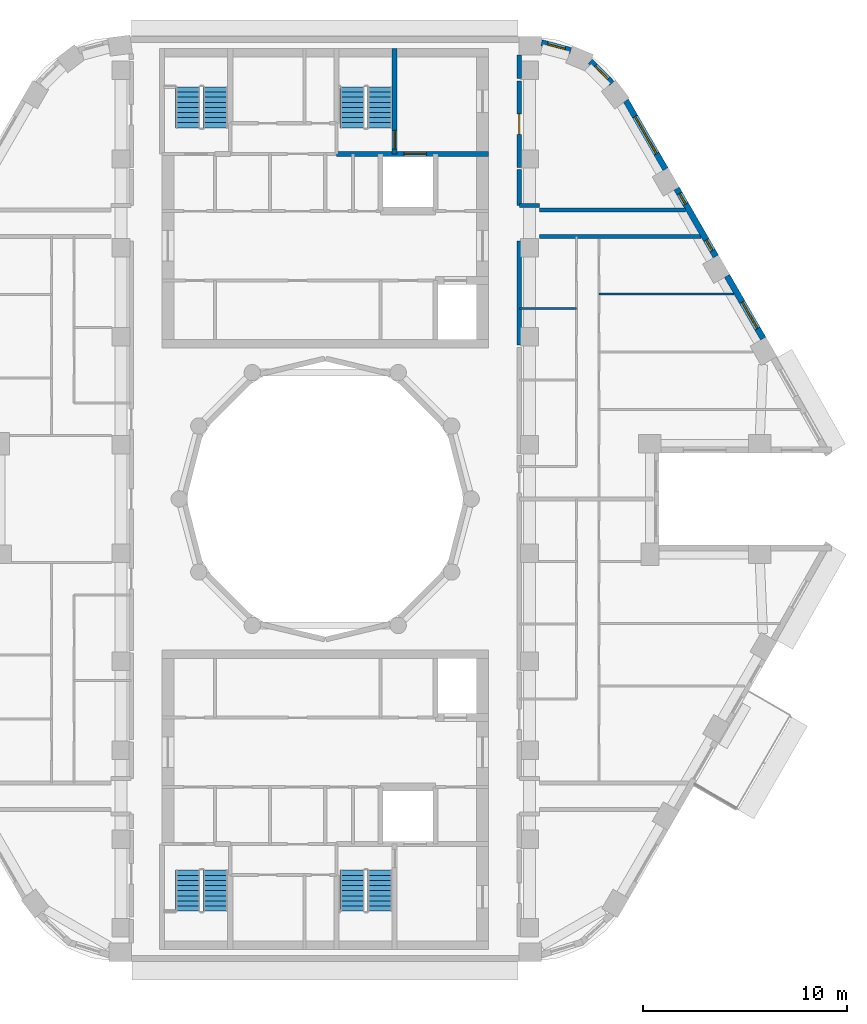
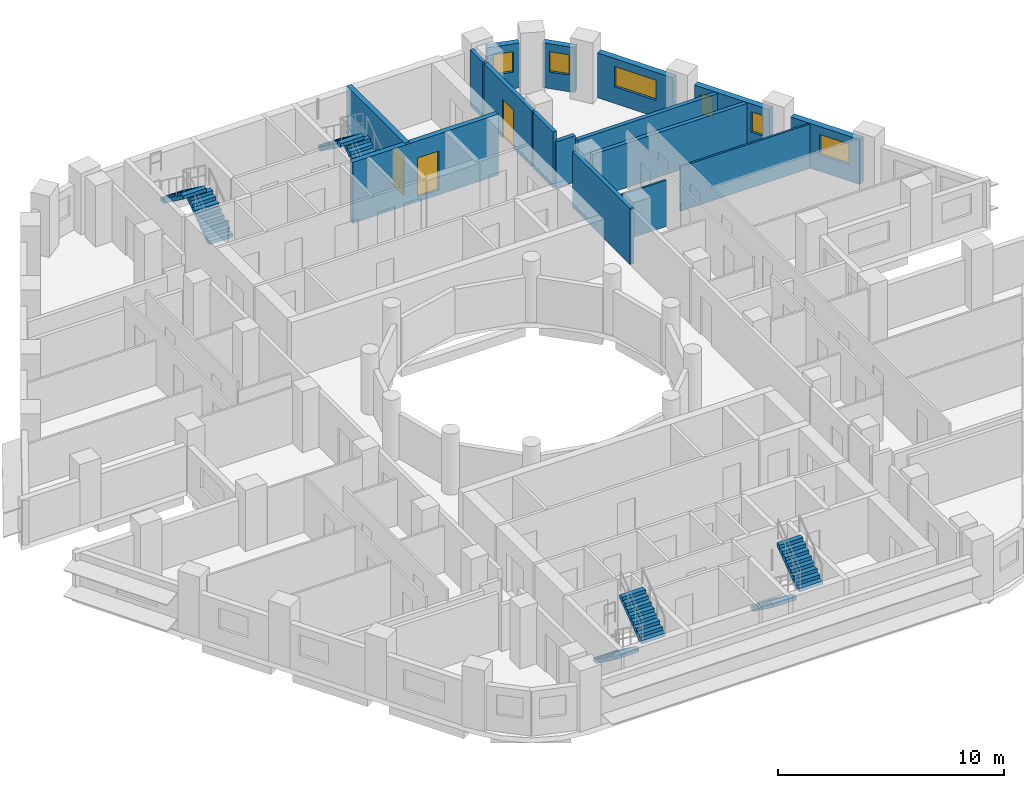
# One storey, part 8 of 12: 16 walls, 8 stair flights, 6 windows, 3 doors, 9 openings, 4 elements without a shape of their own.
"""IFC4 building model written with IfcOpenShell, lengths in metres."""

from ifc_helpers import new_model, si_unit, direction, frame, frame_2d, origin, place, context, subcontext, project, spatial, polyline, rectangle, outline, extrude, material, layer, layer_set, type_object, element, fill, aggregate, save


model = new_model("IFC4")

# Units and contexts
model_context = context("Model", 3, precision=1e-05, world=origin(), true_north=direction((0.0, 1.0)))
body_context = subcontext(model_context, "Body", "Model", "MODEL_VIEW")
ifc_project = project(units=[si_unit("LENGTHUNIT", "METRE"), si_unit("AREAUNIT", "SQUARE_METRE"), si_unit("VOLUMEUNIT", "CUBIC_METRE"), si_unit("PLANEANGLEUNIT", "RADIAN"), si_unit("MASSUNIT", "GRAM", prefix="KILO")], contexts=[model_context])

# Site, building, storey
site_placement = place(None, origin())
site = spatial("IfcSite", under=ifc_project, at=site_placement, CompositionType="ELEMENT")
building_placement = place(site_placement, origin())
building = spatial("IfcBuilding", under=site, at=building_placement, Name="Nakaniwa Court", CompositionType="ELEMENT")
storey_placement = place(building_placement, frame((0.0, 0.0, 229.5)))
storey = spatial("IfcBuildingStorey", under=building, at=storey_placement, Name="L59", CompositionType="ELEMENT", Elevation=229.5)

# Walls
ifc_material_1 = material(Name="Acoustic double stud partition")
ifc_layer_1 = layer(ifc_material_1, 0.199951171875)
ifc_layer_set_1 = layer_set([ifc_layer_1], Name="Acoustic double stud partition")
wall_type_1 = type_object("IfcWallType", Name="Acoustic double stud partition 200", PredefinedType="PARTITIONING", material=ifc_layer_set_1)
wall_1_placement = place(storey_placement, frame((89.5, 87.537109375, 0.0), z_axis=(0.0, 0.0, 1.0), x_axis=(0.0, 1.0, 0.0)))
element("IfcWall", 1, at=wall_1_placement, inside=storey, type_object=wall_type_1, Name="Partition PW-063", PredefinedType="PARTITIONING", context=body_context, shape_type="SweptSolid", body=[
    extrude(rectangle(XDim=5.0908203125, YDim=0.199951171875, at=frame_2d((2.54541015625, 0.0))), origin(), (0.0, 0.0, 1.0), 3.02490234375),
])
wall_2_placement = place(storey_placement, frame((89.5, 94.3720703125, 0.0), z_axis=(0.0, 0.0, 1.0), x_axis=(0.0, 1.0, 0.0)))
element("IfcWall", 2, at=wall_2_placement, inside=storey, type_object=wall_type_1, Name="Partition PW-064", PredefinedType="PARTITIONING", context=body_context, shape_type="SweptSolid", body=[
    extrude(rectangle(XDim=1.7509765625, YDim=0.199951171875, at=frame_2d((0.87548828125, 0.0))), origin(), (0.0, 0.0, 1.0), 3.02490234375),
])

# Wall, opening, door
wall_3_placement = place(storey_placement, frame((89.5, 100.472900390625, 0.0), z_axis=(0.0, 0.0, 1.0), x_axis=(0.0, -1.0, 0.0)))
wall_3 = element("IfcWall", 3, at=wall_3_placement, inside=storey, type_object=wall_type_1, Name="Partition PW-065", PredefinedType="PARTITIONING", context=body_context, shape_type="SweptSolid", body=[
    extrude(rectangle(XDim=4.23583984375, YDim=0.199951171875, at=frame_2d((2.117919921875, 0.0))), origin(), (0.0, 0.0, 1.0), 3.02490234375),
])
opening_1_placement = place(wall_3_placement, frame((1.617919921875, 0.0, 0.0)))
opening_1 = element("IfcOpeningElement", 4, at=opening_1_placement, cuts=wall_3, Name="Opening D-02-02", PredefinedType="OPENING", context=body_context, shape_type="SweptSolid", body=[
    extrude(rectangle(XDim=1.0, YDim=2.10009765625, at=frame_2d((0.5, 1.050048828125))), frame((0.0, 0.10986328125, 0.0), z_axis=(0.0, -1.0, 0.0), x_axis=(1.0, 0.0, 0.0)), (0.0, 0.0, 1.0), 0.219970703125),
])
ifc_material_2 = material(Name="Solid core timber door set, black veneer", Category="wood")
door_type_1 = type_object("IfcDoorType", Name="Internal door 1000", OperationType="NOTDEFINED", PredefinedType="DOOR", material=ifc_material_2)
door_1_placement = place(opening_1_placement, origin())
door_1 = element("IfcDoor", 5, at=door_1_placement, inside=storey, type_object=door_type_1, Name="Door D-02-02 L59-046", OperationType="SINGLE_SWING_LEFT", OverallHeight=2.10009765625, OverallWidth=1.0, PredefinedType="DOOR", context=body_context, shape_type="SweptSolid", body=[
    extrude(rectangle(XDim=1.0, YDim=2.10009765625, at=frame_2d((0.5, 1.050048828125))), frame((0.0, 0.02490234375, 0.0), z_axis=(0.0, -1.0, 0.0), x_axis=(1.0, 0.0, 0.0)), (0.0, 0.0, 1.0), 0.050048828125),
])
fill(opening_1, door_1)

# Walls
wall_4_placement = place(storey_placement, frame((89.5, 100.5869140625, 0.0), z_axis=(0.0, 0.0, 1.0), x_axis=(0.0, 1.0, 0.0)))
element("IfcWall", 6, at=wall_4_placement, inside=storey, type_object=wall_type_1, Name="Partition PW-066", PredefinedType="PARTITIONING", context=body_context, shape_type="SweptSolid", body=[
    extrude(rectangle(XDim=1.14599609375, YDim=0.199951171875, at=frame_2d((0.572998046875, 0.0))), origin(), (0.0, 0.0, 1.0), 3.02490234375),
])
wall_5_placement = place(storey_placement, frame((90.5, 92.85009765625, 0.0), z_axis=(0.0, 0.0, 1.0), x_axis=(1.0, 0.0, 0.0)))
element("IfcWall", 7, at=wall_5_placement, inside=storey, type_object=wall_type_1, Name="Partition PW-068", PredefinedType="PARTITIONING", context=body_context, shape_type="SweptSolid", body=[
    extrude(rectangle(XDim=7.888671875, YDim=0.199951171875, at=frame_2d((3.9443359375, 0.0))), origin(), (0.0, 0.0, 1.0), 2.405029296875),
])
wall_6_placement = place(storey_placement, frame((89.5, 94.375, 0.0), z_axis=(0.0, 0.0, 1.0), x_axis=(1.0, 0.0, 0.0)))
element("IfcWall", 8, at=wall_6_placement, inside=storey, type_object=wall_type_1, Name="Partition PW-070", PredefinedType="PARTITIONING", context=body_context, shape_type="SweptSolid", body=[
    extrude(rectangle(XDim=1.0, YDim=0.199951171875, at=frame_2d((0.5, 0.0))), origin(), (0.0, 0.0, 1.0), 2.5048828125),
])
wall_7_placement = place(storey_placement, frame((90.5, 94.14990234375, 0.0), z_axis=(0.0, 0.0, 1.0), x_axis=(1.0, 0.0, 0.0)))
element("IfcWall", 9, at=wall_7_placement, inside=storey, type_object=wall_type_1, Name="Partition PW-072", PredefinedType="PARTITIONING", context=body_context, shape_type="SweptSolid", body=[
    extrude(rectangle(XDim=7.13818359375, YDim=0.199951171875, at=frame_2d((3.569091796875, 0.0))), origin(), (0.0, 0.0, 1.0), 2.405029296875),
])

# Wall, opening, window
ifc_material_3 = material(Name="Charcoal ceramic cladding")
ifc_layer_2 = layer(ifc_material_3, 0.02, Name="Ceramic cladding")
ifc_material_4 = material(Name="Ventilated air cavity")
ifc_layer_3 = layer(ifc_material_4, 0.04, ventilated=True, Name="Ventilated cavity")
ifc_material_5 = material(Name="Mineral wool insulation")
ifc_layer_4 = layer(ifc_material_5, 0.1, Name="Insulation")
ifc_material_6 = material(Name="Cement bonded sheathing board")
ifc_layer_5 = layer(ifc_material_6, 0.012, Name="Sheathing")
ifc_material_7 = material(Name="Cold-formed galvanised stud frame with mineral wool infill")
ifc_layer_6 = layer(ifc_material_7, 0.1, Name="Stud frame")
ifc_material_8 = material(Name="Fire-rated gypsum plasterboard lining")
ifc_layer_7 = layer(ifc_material_8, 0.028, Name="Lining")
ifc_layer_set_2 = layer_set([ifc_layer_2, ifc_layer_3, ifc_layer_4, ifc_layer_5, ifc_layer_6, ifc_layer_7], Name="Charcoal ceramic faced external wall system")
wall_type_2 = type_object("IfcWallType", Name="Black ceramic faced external wall 300", PredefinedType="SOLIDWALL", material=ifc_layer_set_2)
wall_8_placement = place(storey_placement, frame((101.44580078125, 87.85498046875, 0.0), z_axis=(0.0, 0.0, 1.0), x_axis=(-0.500010404316, 0.866019396766, 0.0)))
wall_8 = element("IfcWall", 10, at=wall_8_placement, inside=storey, type_object=wall_type_2, Name="L59 external wall 03", PredefinedType="SOLIDWALL", context=body_context, shape_type="SweptSolid", body=[
    extrude(rectangle(XDim=3.54736328125, YDim=0.300048828125, at=frame_2d((1.773681640625, 0.0))), origin(), (0.0, 0.0, 1.0), 2.425048828125),
])
opening_2_placement = place(wall_8_placement, frame((0.56640625, 0.0, 0.89990234375)))
opening_2 = element("IfcOpeningElement", 11, at=opening_2_placement, cuts=wall_8, Name="Opening W5.05", PredefinedType="OPENING", context=body_context, shape_type="SweptSolid", body=[
    extrude(rectangle(XDim=1.5, YDim=1.10009765625, at=frame_2d((0.75, 0.550048828125))), frame((0.0, 0.159912109375, 0.0), z_axis=(0.0, -1.0, 0.0), x_axis=(1.0, 0.0, 0.0)), (0.0, 0.0, 1.0), 0.320068359375),
])
ifc_material_9 = material(Name="Black anodised aluminium frame with dark low-E laminated double glazing", Category="aluminium")
window_type_1 = type_object("IfcWindowType", Name="Dark glass window 1500x1100 sill 900", PartitioningType="SINGLE_PANEL", PredefinedType="WINDOW", material=ifc_material_9)
window_1_placement = place(opening_2_placement, origin())
window_1 = element("IfcWindow", 12, at=window_1_placement, inside=storey, type_object=window_type_1, Name="L59 bedroom window 03-0", OverallHeight=1.10009765625, OverallWidth=1.5, PartitioningType="SINGLE_PANEL", PredefinedType="WINDOW", context=body_context, shape_type="SweptSolid", body=[
    extrude(rectangle(XDim=1.5, YDim=1.10009765625, at=frame_2d((0.75, 0.550048828125))), frame((0.0, 0.030029296875, 0.0), z_axis=(0.0, -1.0, 0.0), x_axis=(1.0, 0.0, 0.0)), (0.0, 0.0, 1.0), 0.06005859375),
])
fill(opening_2, window_1)

# Wall, openings, windows
wall_9_placement = place(storey_placement, frame((99.126220703125, 91.87255859375, 0.0), z_axis=(0.0, 0.0, 1.0), x_axis=(-0.499984490703, 0.866034357896, 0.0)))
wall_9 = element("IfcWall", 13, at=wall_9_placement, inside=storey, type_object=wall_type_2, Name="L59 external wall 04", PredefinedType="SOLIDWALL", context=body_context, shape_type="SweptSolid", body=[
    extrude(rectangle(XDim=3.84423828125, YDim=0.300048828125, at=frame_2d((1.922119140625, 0.0))), origin(), (0.0, 0.0, 1.0), 2.425048828125),
])
opening_3_placement = place(wall_9_placement, frame((0.33837890625, 0.0, 0.89990234375)))
opening_3 = element("IfcOpeningElement", 14, at=opening_3_placement, cuts=wall_9, Name="Opening W8.06", PredefinedType="OPENING", context=body_context, shape_type="SweptSolid", body=[
    extrude(rectangle(XDim=0.60009765625, YDim=1.10009765625, at=frame_2d((0.300048828125, 0.550048828125))), frame((0.0, 0.159912109375, 0.0), z_axis=(0.0, -1.0, 0.0), x_axis=(1.0, 0.0, 0.0)), (0.0, 0.0, 1.0), 0.320068359375),
])
opening_4_placement = place(wall_9_placement, frame((2.961181640625, 0.0, 0.89990234375)))
opening_4 = element("IfcOpeningElement", 15, at=opening_4_placement, cuts=wall_9, Name="Opening W8.07", PredefinedType="OPENING", context=body_context, shape_type="SweptSolid", body=[
    extrude(rectangle(XDim=0.60009765625, YDim=1.10009765625, at=frame_2d((0.300048828125, 0.550048828125))), frame((0.0, 0.159912109375, 0.0), z_axis=(0.0, -1.0, 0.0), x_axis=(1.0, 0.0, 0.0)), (0.0, 0.0, 1.0), 0.320068359375),
])
window_type_2 = type_object("IfcWindowType", Name="Dark glass window 600x1100 sill 900", PartitioningType="SINGLE_PANEL", PredefinedType="WINDOW", material=ifc_material_9)
window_2_placement = place(opening_3_placement, origin())
window_2 = element("IfcWindow", 16, at=window_2_placement, inside=storey, type_object=window_type_2, Name="L59 bedroom window 04-0", OverallHeight=1.10009765625, OverallWidth=0.60009765625, PartitioningType="SINGLE_PANEL", PredefinedType="WINDOW", context=body_context, shape_type="SweptSolid", body=[
    extrude(rectangle(XDim=0.60009765625, YDim=1.10009765625, at=frame_2d((0.300048828125, 0.550048828125))), frame((0.0, 0.030029296875, 0.0), z_axis=(0.0, -1.0, 0.0), x_axis=(1.0, 0.0, 0.0)), (0.0, 0.0, 1.0), 0.06005859375),
])
fill(opening_3, window_2)
window_3_placement = place(opening_4_placement, origin())
window_3 = element("IfcWindow", 17, at=window_3_placement, inside=storey, type_object=window_type_2, Name="L59 habitable room window 04-2", OverallHeight=1.10009765625, OverallWidth=0.60009765625, PartitioningType="SINGLE_PANEL", PredefinedType="WINDOW", context=body_context, shape_type="SweptSolid", body=[
    extrude(rectangle(XDim=0.60009765625, YDim=1.10009765625, at=frame_2d((0.300048828125, 0.550048828125))), frame((0.0, 0.030029296875, 0.0), z_axis=(0.0, -1.0, 0.0), x_axis=(1.0, 0.0, 0.0)), (0.0, 0.0, 1.0), 0.06005859375),
])
fill(opening_4, window_3)

# Wall, opening, window
wall_10_placement = place(storey_placement, frame((96.657958984375, 96.1474609375, 0.0), z_axis=(0.0, 0.0, 1.0), x_axis=(-0.500011218404, 0.866018926739, 0.0)))
wall_10 = element("IfcWall", 18, at=wall_10_placement, inside=storey, type_object=wall_type_2, Name="L59 external wall 05", PredefinedType="SOLIDWALL", context=body_context, shape_type="SweptSolid", body=[
    extrude(rectangle(XDim=3.87890625, YDim=0.300048828125, at=frame_2d((1.939453125, 0.0))), origin(), (0.0, 0.0, 1.0), 2.425048828125),
])
opening_5_placement = place(wall_10_placement, frame((0.878173828125, 0.0, 0.89990234375)))
opening_5 = element("IfcOpeningElement", 19, at=opening_5_placement, cuts=wall_10, Name="Opening W7.08", PredefinedType="OPENING", context=body_context, shape_type="SweptSolid", body=[
    extrude(rectangle(XDim=2.10009765625, YDim=1.10009765625, at=frame_2d((1.050048828125, 0.550048828125))), frame((0.0, 0.159912109375, 0.0), z_axis=(0.0, -1.0, 0.0), x_axis=(1.0, 0.0, 0.0)), (0.0, 0.0, 1.0), 0.320068359375),
])
window_type_3 = type_object("IfcWindowType", Name="Dark glass window 2100x1100 sill 900", PartitioningType="SINGLE_PANEL", PredefinedType="WINDOW", material=ifc_material_9)
window_4_placement = place(opening_5_placement, origin())
window_4 = element("IfcWindow", 20, at=window_4_placement, inside=storey, type_object=window_type_3, Name="L59 habitable room window 05-0", OverallHeight=1.10009765625, OverallWidth=2.10009765625, PartitioningType="SINGLE_PANEL", PredefinedType="WINDOW", context=body_context, shape_type="SweptSolid", body=[
    extrude(rectangle(XDim=2.10009765625, YDim=1.10009765625, at=frame_2d((1.050048828125, 0.550048828125))), frame((0.0, 0.030029296875, 0.0), z_axis=(0.0, -1.0, 0.0), x_axis=(1.0, 0.0, 0.0)), (0.0, 0.0, 1.0), 0.06005859375),
])
fill(opening_5, window_4)

wall_11_placement = place(storey_placement, frame((94.0341796875, 100.3583984375, 0.0), z_axis=(0.0, 0.0, 1.0), x_axis=(-0.698675602211, 0.71543860874, 0.0)))
wall_11 = element("IfcWall", 21, at=wall_11_placement, inside=storey, type_object=wall_type_2, Name="L59 external wall 06", PredefinedType="SOLIDWALL", context=body_context, shape_type="SweptSolid", body=[
    extrude(rectangle(XDim=1.5, YDim=0.300048828125, at=frame_2d((0.75, 0.0))), origin(), (0.0, 0.0, 1.0), 2.425048828125),
])
opening_6_placement = place(wall_11_placement, frame((0.27587890625, 0.0, 0.89990234375)))
opening_6 = element("IfcOpeningElement", 22, at=opening_6_placement, cuts=wall_11, Name="Opening W9.09", PredefinedType="OPENING", context=body_context, shape_type="SweptSolid", body=[
    extrude(rectangle(XDim=0.89990234375, YDim=1.10009765625, at=frame_2d((0.449951171875, 0.550048828125))), frame((0.0, 0.159912109375, 0.0), z_axis=(0.0, -1.0, 0.0), x_axis=(1.0, 0.0, 0.0)), (0.0, 0.0, 1.0), 0.320068359375),
])
window_type_4 = type_object("IfcWindowType", Name="Dark glass window 900x1100 sill 900", PartitioningType="SINGLE_PANEL", PredefinedType="WINDOW", material=ifc_material_9)
window_5_placement = place(opening_6_placement, origin())
window_5 = element("IfcWindow", 23, at=window_5_placement, inside=storey, type_object=window_type_4, Name="L59 habitable room window 06-0", OverallHeight=1.10009765625, OverallWidth=0.89990234375, PartitioningType="SINGLE_PANEL", PredefinedType="WINDOW", context=body_context, shape_type="SweptSolid", body=[
    extrude(rectangle(XDim=0.89990234375, YDim=1.10009765625, at=frame_2d((0.449951171875, 0.550048828125))), frame((0.0, 0.030029296875, 0.0), z_axis=(0.0, -1.0, 0.0), x_axis=(1.0, 0.0, 0.0)), (0.0, 0.0, 1.0), 0.06005859375),
])
fill(opening_6, window_5)

wall_12_placement = place(storey_placement, frame((92.02099609375, 101.956298828125, 0.0), z_axis=(0.0, 0.0, 1.0), x_axis=(-0.965392564919, 0.260801065181, 0.0)))
wall_12 = element("IfcWall", 24, at=wall_12_placement, inside=storey, type_object=wall_type_2, Name="L59 external wall 07", PredefinedType="SOLIDWALL", context=body_context, shape_type="SweptSolid", body=[
    extrude(rectangle(XDim=1.48095703125, YDim=0.300048828125, at=frame_2d((0.740478515625, 0.0))), origin(), (0.0, 0.0, 1.0), 2.425048828125),
])
opening_7_placement = place(wall_12_placement, frame((0.280029296875, 0.0, 0.89990234375)))
opening_7 = element("IfcOpeningElement", 25, at=opening_7_placement, cuts=wall_12, Name="Opening W9.10", PredefinedType="OPENING", context=body_context, shape_type="SweptSolid", body=[
    extrude(rectangle(XDim=0.89990234375, YDim=1.10009765625, at=frame_2d((0.449951171875, 0.550048828125))), frame((0.0, 0.159912109375, 0.0), z_axis=(0.0, -1.0, 0.0), x_axis=(1.0, 0.0, 0.0)), (0.0, 0.0, 1.0), 0.320068359375),
])
window_6_placement = place(opening_7_placement, origin())
window_6 = element("IfcWindow", 26, at=window_6_placement, inside=storey, type_object=window_type_4, Name="L59 habitable room window 07-0", OverallHeight=1.10009765625, OverallWidth=0.89990234375, PartitioningType="SINGLE_PANEL", PredefinedType="WINDOW", context=body_context, shape_type="SweptSolid", body=[
    extrude(rectangle(XDim=0.89990234375, YDim=1.10009765625, at=frame_2d((0.449951171875, 0.550048828125))), frame((0.0, 0.030029296875, 0.0), z_axis=(0.0, -1.0, 0.0), x_axis=(1.0, 0.0, 0.0)), (0.0, 0.0, 1.0), 0.06005859375),
])
fill(opening_7, window_6)

# Wall, opening, door
ifc_material_10 = material(Name="Concrete C80/100", Category="concrete")
ifc_layer_8 = layer(ifc_material_10, 0.25)
ifc_layer_set_3 = layer_set([ifc_layer_8], Name="Concrete C80/100")
wall_type_3 = type_object("IfcWallType", Name="Concrete shaft wall 250 C80", PredefinedType="SHEAR", material=ifc_layer_set_3)
wall_13_placement = place(storey_placement, frame((80.547119140625, 96.89990234375, -0.27490234375), z_axis=(0.0, 0.0, 1.0), x_axis=(1.0, 0.0, 0.0)))
wall_13 = element("IfcWall", 27, at=wall_13_placement, inside=storey, type_object=wall_type_3, Name="Core wall SW-16", PredefinedType="SHEAR", context=body_context, shape_type="SweptSolid", body=[
    extrude(rectangle(XDim=7.452880859375, YDim=0.25, at=frame_2d((3.7265625, 0.0))), origin(), (0.0, 0.0, 1.0), 3.2998046875),
])
opening_8_placement = place(wall_13_placement, frame((3.302001953125, 0.0, 0.27490234375)))
opening_8 = element("IfcOpeningElement", 28, at=opening_8_placement, cuts=wall_13, Name="Opening LD02", PredefinedType="OPENING", context=body_context, shape_type="SweptSolid", body=[
    extrude(rectangle(XDim=1.10009765625, YDim=2.10009765625, at=frame_2d((0.550048828125, 1.050048828125))), frame((0.0, 0.135009765625, 0.0), z_axis=(0.0, -1.0, 0.0), x_axis=(1.0, 0.0, 0.0)), (0.0, 0.0, 1.0), 0.27001953125),
])
ifc_material_11 = material(Name="Stainless steel sliding lift landing door", Category="steel")
door_type_2 = type_object("IfcDoorType", Name="Lift landing door 1100", OperationType="NOTDEFINED", PredefinedType="DOOR", material=ifc_material_11)
door_2_placement = place(opening_8_placement, origin())
door_2 = element("IfcDoor", 29, at=door_2_placement, inside=storey, type_object=door_type_2, Name="Lift landing door LD02 L59-002", OperationType="SLIDING_TO_LEFT", OverallHeight=2.10009765625, OverallWidth=1.10009765625, PredefinedType="DOOR", context=body_context, shape_type="SweptSolid", body=[
    extrude(rectangle(XDim=1.10009765625, YDim=2.10009765625, at=frame_2d((0.550048828125, 1.050048828125))), frame((0.0, 0.02490234375, 0.0), z_axis=(0.0, -1.0, 0.0), x_axis=(1.0, 0.0, 0.0)), (0.0, 0.0, 1.0), 0.050048828125),
])
fill(opening_8, door_2)

wall_14_placement = place(storey_placement, frame((83.39990234375, 102.050048828125, -0.27490234375), z_axis=(0.0, 0.0, 1.0), x_axis=(0.0, -1.0, 0.0)))
wall_14 = element("IfcWall", 30, at=wall_14_placement, inside=storey, type_object=wall_type_3, Name="Core wall SW-24", PredefinedType="SHEAR", context=body_context, shape_type="SweptSolid", body=[
    extrude(rectangle(XDim=5.150146484375, YDim=0.25, at=frame_2d((2.5751953125, 0.0))), origin(), (0.0, 0.0, 1.0), 3.2998046875),
])
opening_9_placement = place(wall_14_placement, frame((4.0, 0.0, 0.27490234375)))
opening_9 = element("IfcOpeningElement", 31, at=opening_9_placement, cuts=wall_14, Name="Opening D-11-01", PredefinedType="OPENING", context=body_context, shape_type="SweptSolid", body=[
    extrude(rectangle(XDim=0.89990234375, YDim=2.10009765625, at=frame_2d((0.449951171875, 1.050048828125))), frame((0.0, 0.135009765625, 0.0), z_axis=(0.0, -1.0, 0.0), x_axis=(1.0, 0.0, 0.0)), (0.0, 0.0, 1.0), 0.27001953125),
])
ifc_material_12 = material(Name="Fire rated steel door set", Category="steel")
door_type_3 = type_object("IfcDoorType", Name="Stair door 900", OperationType="NOTDEFINED", PredefinedType="DOOR", material=ifc_material_12)
door_3_placement = place(opening_9_placement, origin())
door_3 = element("IfcDoor", 32, at=door_3_placement, inside=storey, type_object=door_type_3, Name="Door D-11-01 L59-014", OperationType="SINGLE_SWING_RIGHT", OverallHeight=2.10009765625, OverallWidth=0.89990234375, PredefinedType="DOOR", context=body_context, shape_type="SweptSolid", body=[
    extrude(rectangle(XDim=0.89990234375, YDim=2.10009765625, at=frame_2d((0.449951171875, 1.050048828125))), frame((0.0, 0.02490234375, 0.0), z_axis=(0.0, -1.0, 0.0), x_axis=(1.0, 0.0, 0.0)), (0.0, 0.0, 1.0), 0.050048828125),
])
fill(opening_9, door_3)

# Walls
ifc_material_13 = material(Name="Single stud plasterboard partition")
ifc_layer_9 = layer(ifc_material_13, 0.10009765625)
ifc_layer_set_4 = layer_set([ifc_layer_9], Name="Single stud plasterboard partition")
wall_type_4 = type_object("IfcWallType", Name="Single stud plasterboard partition 100", PredefinedType="PARTITIONING", material=ifc_layer_set_4)
wall_15_placement = place(storey_placement, frame((89.5, 89.333984375, 0.0), z_axis=(0.0, 0.0, 1.0), x_axis=(1.0, 0.0, 0.0)))
element("IfcWall", 33, at=wall_15_placement, inside=storey, type_object=wall_type_4, Name="Partition PW-102", PredefinedType="PARTITIONING", context=body_context, shape_type="SweptSolid", body=[
    extrude(rectangle(XDim=2.800048828125, YDim=0.10009765625, at=frame_2d((1.39990234375, 0.0))), origin(), (0.0, 0.0, 1.0), 2.5048828125),
])
wall_16_placement = place(storey_placement, frame((93.39990234375, 90.029052734375, 0.0), z_axis=(0.0, 0.0, 1.0), x_axis=(1.0, 0.0, 0.0)))
element("IfcWall", 34, at=wall_16_placement, inside=storey, type_object=wall_type_4, Name="Partition PW-105", PredefinedType="PARTITIONING", context=body_context, shape_type="SweptSolid", body=[
    extrude(rectangle(XDim=6.6171875, YDim=0.10009765625, at=frame_2d((3.30859375, 0.0))), origin(), (0.0, 0.0, 1.0), 2.405029296875),
])

# Stair, stair flights
stair_type = type_object("IfcStairType", Name="Dog leg stair 1200 wide 18 risers", PredefinedType="HALF_TURN_STAIR", material=ifc_material_10)
stair_1_placement = place(storey_placement, origin())
stair_1 = element("IfcStair", 35, at=stair_1_placement, inside=storey, type_object=stair_type, Name="L59 Stair ST1", PredefinedType="HALF_TURN_STAIR")
stair_flight_type = type_object("IfcStairFlightType", Name="Stair flight 1200 wide 9 risers", PredefinedType="STRAIGHT", material=ifc_material_10)
stair_flight_1_placement = place(storey_placement, frame((74.625, 98.175048828125, 0.0), z_axis=(0.0, 0.0, 1.0), x_axis=(0.0, 1.0, 0.0)))
stair_flight_1 = element("IfcStairFlight", 36, at=stair_flight_1_placement, type_object=stair_flight_type, Name="ST1 flight 1", NumberOfRisers=9, NumberOfTreads=8, PredefinedType="STRAIGHT", RiserHeight=0.183333333, TreadLength=0.25, context=body_context, shape_type="SweptSolid", body=[
    extrude(outline(polyline([(0.0, 0.0), (0.0, 0.026123046875), (0.0, 0.052490234375), (0.0, 0.07861328125), (0.0, 0.104736328125), (0.0, 0.130859375), (0.0, 0.1572265625), (0.0, 0.183349609375), (0.25, 0.183349609375), (0.25, 0.36669921875), (0.5, 0.36669921875), (0.5, 0.550048828125), (0.75, 0.550048828125), (0.75, 0.7333984375), (1.0, 0.7333984375), (1.0, 0.916748046875), (1.25, 0.916748046875), (1.25, 1.10009765625), (1.5, 1.10009765625), (1.5, 1.283447265625), (1.75, 1.283447265625), (1.75, 1.466552734375), (2.0, 1.466552734375), (2.0, 1.64990234375), (2.0, 1.59716796875), (2.0, 1.54443359375), (2.0, 1.49169921875), (2.0, 1.43896484375), (2.0, 1.38623046875), (2.0, 1.33349609375), (2.0, 1.28076171875), (0.25341796875, 0.0), (0.0, 0.0)])), frame((0.0, 0.60009765625, 0.0), z_axis=(0.0, -1.0, 0.0), x_axis=(1.0, 0.0, 0.0)), (0.0, 0.0, 1.0), 1.199951171875),
])
stair_flight_2_placement = place(storey_placement, frame((73.27490234375, 100.175048828125, 1.64990234375), z_axis=(0.0, 0.0, 1.0), x_axis=(0.0, -1.0, 0.0)))
stair_flight_2 = element("IfcStairFlight", 37, at=stair_flight_2_placement, type_object=stair_flight_type, Name="ST1 flight 2", NumberOfRisers=9, NumberOfTreads=8, PredefinedType="STRAIGHT", RiserHeight=0.183333333, TreadLength=0.25, context=body_context, shape_type="SweptSolid", body=[
    extrude(outline(polyline([(0.0, 0.0), (0.0, 0.026123046875), (0.0, 0.052490234375), (0.0, 0.07861328125), (0.0, 0.104736328125), (0.0, 0.130859375), (0.0, 0.1572265625), (0.0, 0.183349609375), (0.25, 0.183349609375), (0.25, 0.36669921875), (0.5, 0.36669921875), (0.5, 0.550048828125), (0.75, 0.550048828125), (0.75, 0.7333984375), (1.0, 0.7333984375), (1.0, 0.916748046875), (1.25, 0.916748046875), (1.25, 1.10009765625), (1.5, 1.10009765625), (1.5, 1.283447265625), (1.75, 1.283447265625), (1.75, 1.466552734375), (2.0, 1.466552734375), (2.0, 1.64990234375), (2.0, 1.59716796875), (2.0, 1.54443359375), (2.0, 1.49169921875), (2.0, 1.43896484375), (2.0, 1.38623046875), (2.0, 1.33349609375), (2.0, 1.28076171875), (0.25341796875, 0.0), (0.0, 0.0)])), frame((0.0, 0.60009765625, 0.0), z_axis=(0.0, -1.0, 0.0), x_axis=(1.0, 0.0, 0.0)), (0.0, 0.0, 1.0), 1.199951171875),
])
aggregate(stair_1, [stair_flight_1, stair_flight_2])

stair_2_placement = place(storey_placement, origin())
stair_2 = element("IfcStair", 38, at=stair_2_placement, inside=storey, type_object=stair_type, Name="L59 Stair ST2", PredefinedType="HALF_TURN_STAIR")
stair_flight_3_placement = place(storey_placement, frame((82.675048828125, 98.175048828125, 0.0), z_axis=(0.0, 0.0, 1.0), x_axis=(0.0, 1.0, 0.0)))
stair_flight_3 = element("IfcStairFlight", 39, at=stair_flight_3_placement, type_object=stair_flight_type, Name="ST2 flight 1", NumberOfRisers=9, NumberOfTreads=8, PredefinedType="STRAIGHT", RiserHeight=0.183333333, TreadLength=0.25, context=body_context, shape_type="SweptSolid", body=[
    extrude(outline(polyline([(0.0, 0.0), (0.0, 0.026123046875), (0.0, 0.052490234375), (0.0, 0.07861328125), (0.0, 0.104736328125), (0.0, 0.130859375), (0.0, 0.1572265625), (0.0, 0.183349609375), (0.25, 0.183349609375), (0.25, 0.36669921875), (0.5, 0.36669921875), (0.5, 0.550048828125), (0.75, 0.550048828125), (0.75, 0.7333984375), (1.0, 0.7333984375), (1.0, 0.916748046875), (1.25, 0.916748046875), (1.25, 1.10009765625), (1.5, 1.10009765625), (1.5, 1.283447265625), (1.75, 1.283447265625), (1.75, 1.466552734375), (2.0, 1.466552734375), (2.0, 1.64990234375), (2.0, 1.59716796875), (2.0, 1.54443359375), (2.0, 1.49169921875), (2.0, 1.43896484375), (2.0, 1.38623046875), (2.0, 1.33349609375), (2.0, 1.28076171875), (0.25341796875, 0.0), (0.0, 0.0)])), frame((0.0, 0.60009765625, 0.0), z_axis=(0.0, -1.0, 0.0), x_axis=(1.0, 0.0, 0.0)), (0.0, 0.0, 1.0), 1.199951171875),
])
stair_flight_4_placement = place(storey_placement, frame((81.324951171875, 100.175048828125, 1.64990234375), z_axis=(0.0, 0.0, 1.0), x_axis=(0.0, -1.0, 0.0)))
stair_flight_4 = element("IfcStairFlight", 40, at=stair_flight_4_placement, type_object=stair_flight_type, Name="ST2 flight 2", NumberOfRisers=9, NumberOfTreads=8, PredefinedType="STRAIGHT", RiserHeight=0.183333333, TreadLength=0.25, context=body_context, shape_type="SweptSolid", body=[
    extrude(outline(polyline([(0.0, 0.0), (0.0, 0.026123046875), (0.0, 0.052490234375), (0.0, 0.07861328125), (0.0, 0.104736328125), (0.0, 0.130859375), (0.0, 0.1572265625), (0.0, 0.183349609375), (0.25, 0.183349609375), (0.25, 0.36669921875), (0.5, 0.36669921875), (0.5, 0.550048828125), (0.75, 0.550048828125), (0.75, 0.7333984375), (1.0, 0.7333984375), (1.0, 0.916748046875), (1.25, 0.916748046875), (1.25, 1.10009765625), (1.5, 1.10009765625), (1.5, 1.283447265625), (1.75, 1.283447265625), (1.75, 1.466552734375), (2.0, 1.466552734375), (2.0, 1.64990234375), (2.0, 1.59716796875), (2.0, 1.54443359375), (2.0, 1.49169921875), (2.0, 1.43896484375), (2.0, 1.38623046875), (2.0, 1.33349609375), (2.0, 1.28076171875), (0.25341796875, 0.0), (0.0, 0.0)])), frame((0.0, 0.60009765625, 0.0), z_axis=(0.0, -1.0, 0.0), x_axis=(1.0, 0.0, 0.0)), (0.0, 0.0, 1.0), 1.199951171875),
])
aggregate(stair_2, [stair_flight_3, stair_flight_4])

stair_3_placement = place(storey_placement, origin())
stair_3 = element("IfcStair", 41, at=stair_3_placement, inside=storey, type_object=stair_type, Name="L59 Stair ST3", PredefinedType="HALF_TURN_STAIR")
stair_flight_5_placement = place(storey_placement, frame((73.27490234375, 61.824951171875, 0.0), z_axis=(0.0, 0.0, 1.0), x_axis=(0.0, -1.0, 0.0)))
stair_flight_5 = element("IfcStairFlight", 42, at=stair_flight_5_placement, type_object=stair_flight_type, Name="ST3 flight 1", NumberOfRisers=9, NumberOfTreads=8, PredefinedType="STRAIGHT", RiserHeight=0.183333333, TreadLength=0.25, context=body_context, shape_type="SweptSolid", body=[
    extrude(outline(polyline([(0.0, 0.0), (0.0, 0.026123046875), (0.0, 0.052490234375), (0.0, 0.07861328125), (0.0, 0.104736328125), (0.0, 0.130859375), (0.0, 0.1572265625), (0.0, 0.183349609375), (0.25, 0.183349609375), (0.25, 0.36669921875), (0.5, 0.36669921875), (0.5, 0.550048828125), (0.75, 0.550048828125), (0.75, 0.7333984375), (1.0, 0.7333984375), (1.0, 0.916748046875), (1.25, 0.916748046875), (1.25, 1.10009765625), (1.5, 1.10009765625), (1.5, 1.283447265625), (1.75, 1.283447265625), (1.75, 1.466552734375), (2.0, 1.466552734375), (2.0, 1.64990234375), (2.0, 1.59716796875), (2.0, 1.54443359375), (2.0, 1.49169921875), (2.0, 1.43896484375), (2.0, 1.38623046875), (2.0, 1.33349609375), (2.0, 1.28076171875), (0.25341796875, 0.0), (0.0, 0.0)])), frame((0.0, 0.60009765625, 0.0), z_axis=(0.0, -1.0, 0.0), x_axis=(1.0, 0.0, 0.0)), (0.0, 0.0, 1.0), 1.199951171875),
])
stair_flight_6_placement = place(storey_placement, frame((74.625, 59.824951171875, 1.64990234375), z_axis=(0.0, 0.0, 1.0), x_axis=(0.0, 1.0, 0.0)))
stair_flight_6 = element("IfcStairFlight", 43, at=stair_flight_6_placement, type_object=stair_flight_type, Name="ST3 flight 2", NumberOfRisers=9, NumberOfTreads=8, PredefinedType="STRAIGHT", RiserHeight=0.183333333, TreadLength=0.25, context=body_context, shape_type="SweptSolid", body=[
    extrude(outline(polyline([(0.0, 0.0), (0.0, 0.026123046875), (0.0, 0.052490234375), (0.0, 0.07861328125), (0.0, 0.104736328125), (0.0, 0.130859375), (0.0, 0.1572265625), (0.0, 0.183349609375), (0.25, 0.183349609375), (0.25, 0.36669921875), (0.5, 0.36669921875), (0.5, 0.550048828125), (0.75, 0.550048828125), (0.75, 0.7333984375), (1.0, 0.7333984375), (1.0, 0.916748046875), (1.25, 0.916748046875), (1.25, 1.10009765625), (1.5, 1.10009765625), (1.5, 1.283447265625), (1.75, 1.283447265625), (1.75, 1.466552734375), (2.0, 1.466552734375), (2.0, 1.64990234375), (2.0, 1.59716796875), (2.0, 1.54443359375), (2.0, 1.49169921875), (2.0, 1.43896484375), (2.0, 1.38623046875), (2.0, 1.33349609375), (2.0, 1.28076171875), (0.25341796875, 0.0), (0.0, 0.0)])), frame((0.0, 0.60009765625, 0.0), z_axis=(0.0, -1.0, 0.0), x_axis=(1.0, 0.0, 0.0)), (0.0, 0.0, 1.0), 1.199951171875),
])
aggregate(stair_3, [stair_flight_5, stair_flight_6])

stair_4_placement = place(storey_placement, origin())
stair_4 = element("IfcStair", 44, at=stair_4_placement, inside=storey, type_object=stair_type, Name="L59 Stair ST4", PredefinedType="HALF_TURN_STAIR")
stair_flight_7_placement = place(storey_placement, frame((81.324951171875, 61.824951171875, 0.0), z_axis=(0.0, 0.0, 1.0), x_axis=(0.0, -1.0, 0.0)))
stair_flight_7 = element("IfcStairFlight", 45, at=stair_flight_7_placement, type_object=stair_flight_type, Name="ST4 flight 1", NumberOfRisers=9, NumberOfTreads=8, PredefinedType="STRAIGHT", RiserHeight=0.183333333, TreadLength=0.25, context=body_context, shape_type="SweptSolid", body=[
    extrude(outline(polyline([(0.0, 0.0), (0.0, 0.026123046875), (0.0, 0.052490234375), (0.0, 0.07861328125), (0.0, 0.104736328125), (0.0, 0.130859375), (0.0, 0.1572265625), (0.0, 0.183349609375), (0.25, 0.183349609375), (0.25, 0.36669921875), (0.5, 0.36669921875), (0.5, 0.550048828125), (0.75, 0.550048828125), (0.75, 0.7333984375), (1.0, 0.7333984375), (1.0, 0.916748046875), (1.25, 0.916748046875), (1.25, 1.10009765625), (1.5, 1.10009765625), (1.5, 1.283447265625), (1.75, 1.283447265625), (1.75, 1.466552734375), (2.0, 1.466552734375), (2.0, 1.64990234375), (2.0, 1.59716796875), (2.0, 1.54443359375), (2.0, 1.49169921875), (2.0, 1.43896484375), (2.0, 1.38623046875), (2.0, 1.33349609375), (2.0, 1.28076171875), (0.25341796875, 0.0), (0.0, 0.0)])), frame((0.0, 0.60009765625, 0.0), z_axis=(0.0, -1.0, 0.0), x_axis=(1.0, 0.0, 0.0)), (0.0, 0.0, 1.0), 1.199951171875),
])
stair_flight_8_placement = place(storey_placement, frame((82.675048828125, 59.824951171875, 1.64990234375), z_axis=(0.0, 0.0, 1.0), x_axis=(0.0, 1.0, 0.0)))
stair_flight_8 = element("IfcStairFlight", 46, at=stair_flight_8_placement, type_object=stair_flight_type, Name="ST4 flight 2", NumberOfRisers=9, NumberOfTreads=8, PredefinedType="STRAIGHT", RiserHeight=0.183333333, TreadLength=0.25, context=body_context, shape_type="SweptSolid", body=[
    extrude(outline(polyline([(0.0, 0.0), (0.0, 0.026123046875), (0.0, 0.052490234375), (0.0, 0.07861328125), (0.0, 0.104736328125), (0.0, 0.130859375), (0.0, 0.1572265625), (0.0, 0.183349609375), (0.25, 0.183349609375), (0.25, 0.36669921875), (0.5, 0.36669921875), (0.5, 0.550048828125), (0.75, 0.550048828125), (0.75, 0.7333984375), (1.0, 0.7333984375), (1.0, 0.916748046875), (1.25, 0.916748046875), (1.25, 1.10009765625), (1.5, 1.10009765625), (1.5, 1.283447265625), (1.75, 1.283447265625), (1.75, 1.466552734375), (2.0, 1.466552734375), (2.0, 1.64990234375), (2.0, 1.59716796875), (2.0, 1.54443359375), (2.0, 1.49169921875), (2.0, 1.43896484375), (2.0, 1.38623046875), (2.0, 1.33349609375), (2.0, 1.28076171875), (0.25341796875, 0.0), (0.0, 0.0)])), frame((0.0, 0.60009765625, 0.0), z_axis=(0.0, -1.0, 0.0), x_axis=(1.0, 0.0, 0.0)), (0.0, 0.0, 1.0), 1.199951171875),
])
aggregate(stair_4, [stair_flight_7, stair_flight_8])

save(model, "model.ifc")
